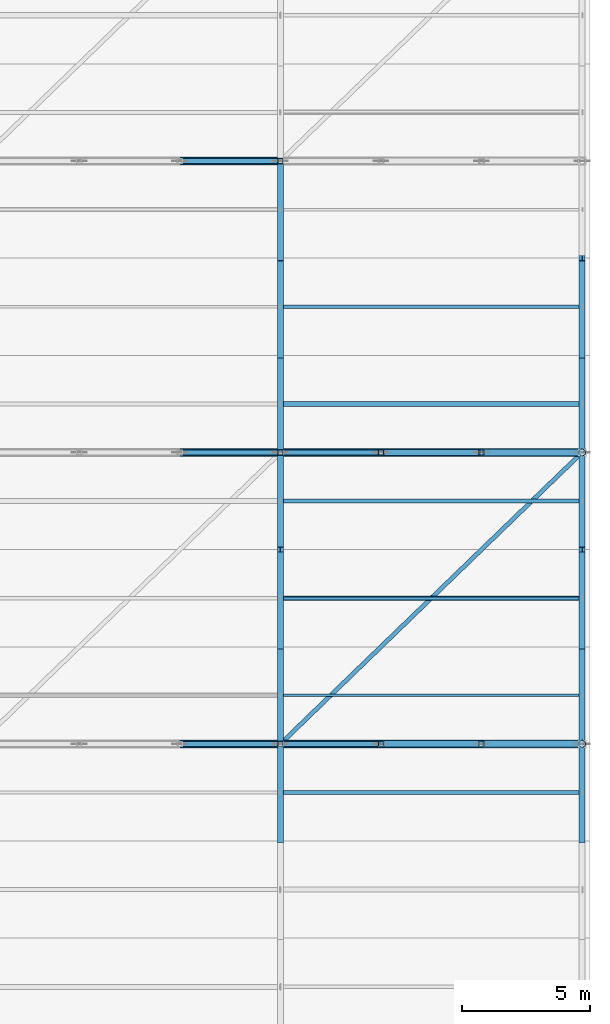
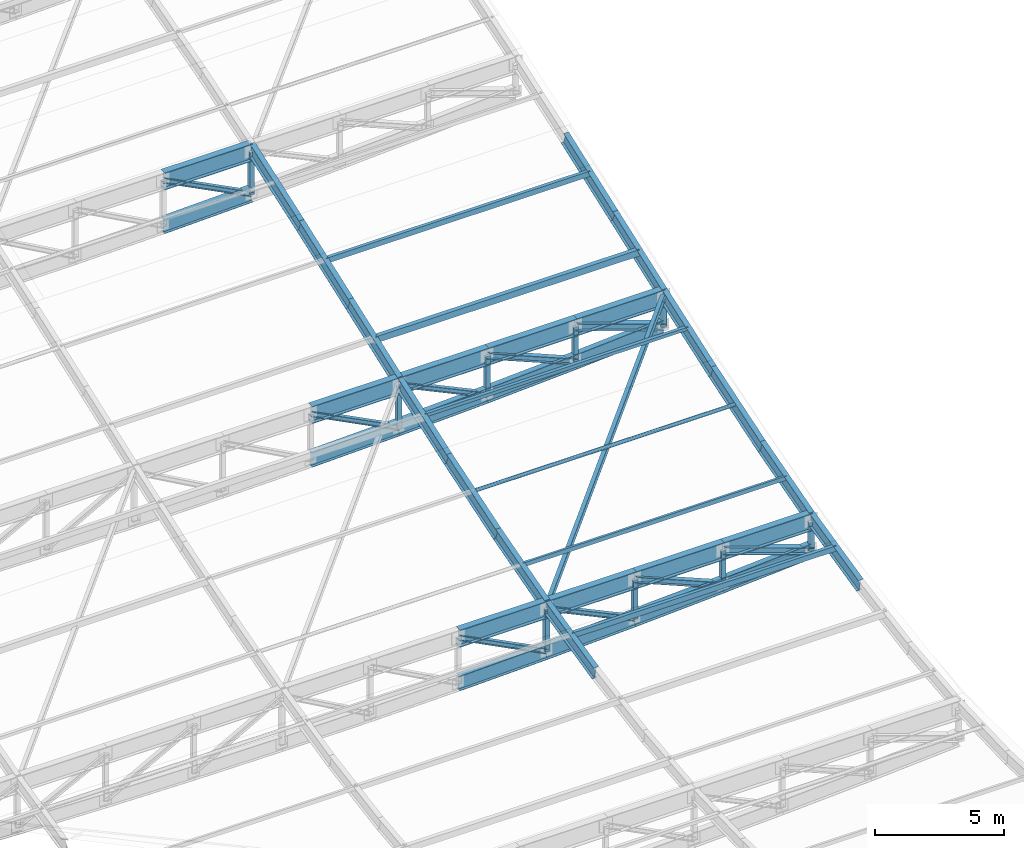
# One storey, part 23 of 65: 38 members, 18 beams.
"""IFC4 building model written with IfcOpenShell, lengths in metres."""

from ifc_helpers import new_model, si_unit, direction, frame, origin, origin_2d, place, context, subcontext, project, spatial, hollow_rectangle, hollow_circle, i_section, extrude, material, material_profile, profile_set, type_object, element, save


model = new_model("IFC4")

# Units and contexts
model_context = context("Model", 3, precision=1e-05, world=origin(), true_north=direction((0.0, 1.0)))
body_context = subcontext(model_context, "Body", "Model", "MODEL_VIEW")
ifc_project = project(units=[si_unit("LENGTHUNIT", "METRE"), si_unit("AREAUNIT", "SQUARE_METRE"), si_unit("VOLUMEUNIT", "CUBIC_METRE"), si_unit("PLANEANGLEUNIT", "RADIAN"), si_unit("MASSUNIT", "GRAM", prefix="KILO"), si_unit("POWERUNIT", "WATT"), si_unit("THERMODYNAMICTEMPERATUREUNIT", "KELVIN")], contexts=[model_context])

# Site, building, storey
site_placement = place(None, origin())
site = spatial("IfcSite", under=ifc_project, at=site_placement, CompositionType="ELEMENT")
building_placement = place(site_placement, origin())
building = spatial("IfcBuilding", under=site, at=building_placement, Name="Kelmbourne Parkland Aquatics Centre", CompositionType="ELEMENT")
storey_placement = place(building_placement, frame((0.0, 0.0, 27.0)))
storey = spatial("IfcBuildingStorey", under=building, at=storey_placement, Name="RF", CompositionType="ELEMENT", Elevation=27.0)

# Members
ifc_material_1 = material(Name="Structural steel AS/NZS 3679.1 Grade 300", Category="steel")
ifc_material_profile_1 = material_profile(ifc_material_1, i_section(OverallWidth=0.166015625, OverallDepth=0.306884765625, WebThickness=0.006591796875, FlangeThickness=0.01171875, at=origin_2d()), Name="310UB46.2")
ifc_profile_set_1 = profile_set([ifc_material_profile_1], Name="Structural steel AS/NZS 3679.1 Grade 300")
member_type_1 = type_object("IfcMemberType", Name="MB-BR-I", PredefinedType="BRACE", material=ifc_profile_set_1)
member_1_placement = place(storey_placement, frame((163.406982421875, 69.206787109375, -10.938232421875), z_axis=(0.702167961361, 0.678358015368, 0.216311250339), x_axis=(-0.694807972231, 0.719195301517, 0.0)))
element("IfcMember", 1, at=member_1_placement, inside=storey, type_object=member_type_1, Name="Roof wind diagonal brace B7-912", PredefinedType="BRACE", context=body_context, shape_type="SweptSolid", body=[
    extrude(i_section(OverallWidth=0.166015625, OverallDepth=0.306884765625, WebThickness=0.006591796875, FlangeThickness=0.01171875, at=origin_2d()), origin(), (0.0, 0.0, 1.0), 16.785400390625),
])
ifc_material_profile_2 = material_profile(ifc_material_1, i_section(OverallWidth=0.306884765625, OverallDepth=0.31494140625, WebThickness=0.011962890625, FlangeThickness=0.018798828125, at=origin_2d()), Name="310UC118")
ifc_profile_set_2 = profile_set([ifc_material_profile_2], Name="Structural steel AS/NZS 3679.1 Grade 300")
member_type_2 = type_object("IfcMemberType", Name="MB-DIAG1", PredefinedType="STRUT", material=ifc_profile_set_2)
for number, where, z_axis, x_axis, name in (
    (2, (171.2666015625, 69.199951171875, -10.9404296875), (0.94359966112, 0.0, -0.331088627913), (0.0, 1.0, 0.0), "Roof truss R06 web diagonal 12"),
    (3, (171.2666015625, 80.60009765625, -7.30517578125), (0.943617957768, 0.0, -0.331036478015), (0.0, 1.0, 0.0), "Roof truss R07 web diagonal 12"),
):
    element("IfcMember", number, at=place(storey_placement, frame(where, z_axis=z_axis, x_axis=x_axis)), inside=storey, type_object=member_type_2, Name=name, PredefinedType="STRUT", context=body_context, shape_type="SweptSolid", body=[
        extrude(i_section(OverallWidth=0.306884765625, OverallDepth=0.31494140625, WebThickness=0.011962890625, FlangeThickness=0.018798828125, at=origin_2d()), origin(), (0.0, 0.0, 1.0), 4.16845703125),
    ])
ifc_material_profile_3 = material_profile(ifc_material_1, i_section(OverallWidth=0.256103515625, OverallDepth=0.260009765625, WebThickness=0.010498046875, FlangeThickness=0.017333984375, at=origin_2d()), Name="250UC89.5")
ifc_profile_set_3 = profile_set([ifc_material_profile_3], Name="Structural steel AS/NZS 3679.1 Grade 300")
member_type_3 = type_object("IfcMemberType", Name="MB-DIAG2", PredefinedType="STRUT", material=ifc_profile_set_3)
for number, where, z_axis, x_axis, name in (
    (4, (167.333251953125, 69.199951171875, -10.9404296875), (0.923014195881, 0.0, -0.384765895322), (0.0, 1.0, 0.0), "Roof truss R06 web diagonal 11"),
    (5, (167.333251953125, 80.60009765625, -7.30517578125), (0.923014195881, 0.0, -0.384765895322), (0.0, 1.0, 0.0), "Roof truss R07 web diagonal 11"),
):
    element("IfcMember", number, at=place(storey_placement, frame(where, z_axis=z_axis, x_axis=x_axis)), inside=storey, type_object=member_type_3, Name=name, PredefinedType="STRUT", context=body_context, shape_type="SweptSolid", body=[
        extrude(i_section(OverallWidth=0.256103515625, OverallDepth=0.260009765625, WebThickness=0.010498046875, FlangeThickness=0.017333984375, at=origin_2d()), origin(), (0.0, 0.0, 1.0), 4.261474609375),
    ])
ifc_material_profile_4 = material_profile(ifc_material_1, i_section(OverallWidth=0.205078125, OverallDepth=0.2099609375, WebThickness=0.00927734375, FlangeThickness=0.01416015625, at=origin_2d()), Name="200UC59.5")
ifc_profile_set_4 = profile_set([ifc_material_profile_4], Name="Structural steel AS/NZS 3679.1 Grade 300")
member_type_4 = type_object("IfcMemberType", Name="MB-DIAG3", PredefinedType="STRUT", material=ifc_profile_set_4)
member_2_placement = place(storey_placement, frame((159.466796875, 69.199951171875, -10.9404296875), z_axis=(0.889762254621, 0.0, -0.456424287535), x_axis=(0.0, 1.0, 0.0)))
element("IfcMember", 6, at=member_2_placement, inside=storey, type_object=member_type_4, Name="Roof truss R06 web diagonal 9", PredefinedType="STRUT", context=body_context, shape_type="SweptSolid", body=[
    extrude(i_section(OverallWidth=0.205078125, OverallDepth=0.2099609375, WebThickness=0.00927734375, FlangeThickness=0.01416015625, at=origin_2d()), origin(), (0.0, 0.0, 1.0), 4.42041015625),
])
member_3_placement = place(storey_placement, frame((163.39990234375, 69.199951171875, -10.9404296875), z_axis=(0.904702860314, 0.0, -0.426043113475), x_axis=(0.0, 1.0, 0.0)))
element("IfcMember", 7, at=member_3_placement, inside=storey, type_object=member_type_4, Name="Roof truss R06 web diagonal 10", PredefinedType="STRUT", context=body_context, shape_type="SweptSolid", body=[
    extrude(i_section(OverallWidth=0.205078125, OverallDepth=0.2099609375, WebThickness=0.00927734375, FlangeThickness=0.01416015625, at=origin_2d()), origin(), (0.0, 0.0, 1.0), 4.34765625),
])
member_4_placement = place(storey_placement, frame((159.466796875, 80.60009765625, -7.30517578125), z_axis=(0.889784683693, 0.0, -0.456380561226), x_axis=(0.0, 1.0, 0.0)))
element("IfcMember", 8, at=member_4_placement, inside=storey, type_object=member_type_4, Name="Roof truss R07 web diagonal 9", PredefinedType="STRUT", context=body_context, shape_type="SweptSolid", body=[
    extrude(i_section(OverallWidth=0.205078125, OverallDepth=0.2099609375, WebThickness=0.00927734375, FlangeThickness=0.01416015625, at=origin_2d()), origin(), (0.0, 0.0, 1.0), 4.42041015625),
])
member_5_placement = place(storey_placement, frame((163.39990234375, 80.60009765625, -7.30517578125), z_axis=(0.904724503936, 0.0, -0.425997150199), x_axis=(0.0, 1.0, 0.0)))
element("IfcMember", 9, at=member_5_placement, inside=storey, type_object=member_type_4, Name="Roof truss R07 web diagonal 10", PredefinedType="STRUT", context=body_context, shape_type="SweptSolid", body=[
    extrude(i_section(OverallWidth=0.205078125, OverallDepth=0.2099609375, WebThickness=0.00927734375, FlangeThickness=0.01416015625, at=origin_2d()), origin(), (0.0, 0.0, 1.0), 4.34765625),
])
member_6_placement = place(storey_placement, frame((159.466796875, 92.0, -3.202880859375), z_axis=(0.889762254621, 0.0, -0.456424287535), x_axis=(0.0, 1.0, 0.0)))
element("IfcMember", 10, at=member_6_placement, inside=storey, type_object=member_type_4, Name="Roof truss R08 web diagonal 9", PredefinedType="STRUT", context=body_context, shape_type="SweptSolid", body=[
    extrude(i_section(OverallWidth=0.205078125, OverallDepth=0.2099609375, WebThickness=0.00927734375, FlangeThickness=0.01416015625, at=origin_2d()), origin(), (0.0, 0.0, 1.0), 4.42041015625),
])
ifc_material_profile_5 = material_profile(ifc_material_1, i_section(OverallWidth=0.22900390625, OverallDepth=0.612060546875, WebThickness=0.011962890625, FlangeThickness=0.01953125, at=origin_2d()), Name="610UB125")
ifc_profile_set_5 = profile_set([ifc_material_profile_5], Name="Structural steel AS/NZS 3679.1 Grade 300")
member_type_5 = type_object("IfcMemberType", Name="MB-LRIB", PredefinedType="STRUT", material=ifc_profile_set_5)
member_7_placement = place(storey_placement, frame((163.39990234375, 65.39990234375, -11.703369140625), z_axis=(0.0, 0.974060017695, 0.226289818438), x_axis=(-1.0, 0.0, 0.0)))
element("IfcMember", 11, at=member_7_placement, inside=storey, type_object=member_type_5, Name="Longitudinal wave rib K9 strip 18", PredefinedType="STRUT", context=body_context, shape_type="SweptSolid", body=[
    extrude(i_section(OverallWidth=0.22900390625, OverallDepth=0.612060546875, WebThickness=0.011962890625, FlangeThickness=0.01953125, at=origin_2d()), origin(), (0.0, 0.0, 1.0), 3.9013671875),
])
member_8_placement = place(storey_placement, frame((163.39990234375, 69.199951171875, -10.820556640625), z_axis=(0.0, 0.962160495799, 0.272483357885), x_axis=(-1.0, 0.0, 0.0)))
element("IfcMember", 12, at=member_8_placement, inside=storey, type_object=member_type_5, Name="Longitudinal wave rib K9 strip 19", PredefinedType="STRUT", context=body_context, shape_type="SweptSolid", body=[
    extrude(i_section(OverallWidth=0.22900390625, OverallDepth=0.612060546875, WebThickness=0.011962890625, FlangeThickness=0.01953125, at=origin_2d()), origin(), (0.0, 0.0, 1.0), 3.949462890625),
])
member_9_placement = place(storey_placement, frame((163.39990234375, 73.0, -9.744384765625), z_axis=(0.0, 0.951600805512, 0.307336797257), x_axis=(-1.0, 0.0, 0.0)))
element("IfcMember", 13, at=member_9_placement, inside=storey, type_object=member_type_5, Name="Longitudinal wave rib K9 strip 20", PredefinedType="STRUT", context=body_context, shape_type="SweptSolid", body=[
    extrude(i_section(OverallWidth=0.22900390625, OverallDepth=0.612060546875, WebThickness=0.011962890625, FlangeThickness=0.01953125, at=origin_2d()), origin(), (0.0, 0.0, 1.0), 3.993408203125),
])
member_10_placement = place(storey_placement, frame((163.39990234375, 76.800048828125, -8.51708984375), z_axis=(0.0, 0.943702288196, 0.330795996428), x_axis=(-1.0, 0.0, 0.0)))
element("IfcMember", 14, at=member_10_placement, inside=storey, type_object=member_type_5, Name="Longitudinal wave rib K9 strip 21", PredefinedType="STRUT", context=body_context, shape_type="SweptSolid", body=[
    extrude(i_section(OverallWidth=0.22900390625, OverallDepth=0.612060546875, WebThickness=0.011962890625, FlangeThickness=0.01953125, at=origin_2d()), origin(), (0.0, 0.0, 1.0), 4.02685546875),
])
member_11_placement = place(storey_placement, frame((163.39990234375, 80.60009765625, -7.18505859375), z_axis=(0.0, 0.939534064945, 0.342455458136), x_axis=(-1.0, 0.0, 0.0)))
element("IfcMember", 15, at=member_11_placement, inside=storey, type_object=member_type_5, Name="Longitudinal wave rib K9 strip 22", PredefinedType="STRUT", context=body_context, shape_type="SweptSolid", body=[
    extrude(i_section(OverallWidth=0.22900390625, OverallDepth=0.612060546875, WebThickness=0.011962890625, FlangeThickness=0.01953125, at=origin_2d()), origin(), (0.0, 0.0, 1.0), 4.04443359375),
])
member_12_placement = place(storey_placement, frame((163.39990234375, 84.39990234375, -5.800048828125), z_axis=(0.0, 0.939521722115, 0.342489319067), x_axis=(-1.0, 0.0, 0.0)))
element("IfcMember", 16, at=member_12_placement, inside=storey, type_object=member_type_5, Name="Longitudinal wave rib K9 strip 23", PredefinedType="STRUT", context=body_context, shape_type="SweptSolid", body=[
    extrude(i_section(OverallWidth=0.22900390625, OverallDepth=0.612060546875, WebThickness=0.011962890625, FlangeThickness=0.01953125, at=origin_2d()), origin(), (0.0, 0.0, 1.0), 4.044677734375),
])
member_13_placement = place(storey_placement, frame((163.39990234375, 88.199951171875, -4.414794921875), z_axis=(0.0, 0.943721214003, 0.330741999511), x_axis=(-1.0, 0.0, 0.0)))
element("IfcMember", 17, at=member_13_placement, inside=storey, type_object=member_type_5, Name="Longitudinal wave rib K9 strip 24", PredefinedType="STRUT", context=body_context, shape_type="SweptSolid", body=[
    extrude(i_section(OverallWidth=0.22900390625, OverallDepth=0.612060546875, WebThickness=0.011962890625, FlangeThickness=0.01953125, at=origin_2d()), origin(), (0.0, 0.0, 1.0), 4.026611328125),
])
member_14_placement = place(storey_placement, frame((175.199951171875, 65.39990234375, -11.703369140625), z_axis=(0.0, 0.974060017695, 0.226289818438), x_axis=(-1.0, 0.0, 0.0)))
element("IfcMember", 18, at=member_14_placement, inside=storey, type_object=member_type_5, Name="Longitudinal wave rib K12 strip 18", PredefinedType="STRUT", context=body_context, shape_type="SweptSolid", body=[
    extrude(i_section(OverallWidth=0.22900390625, OverallDepth=0.612060546875, WebThickness=0.011962890625, FlangeThickness=0.01953125, at=origin_2d()), origin(), (0.0, 0.0, 1.0), 3.9013671875),
])
member_15_placement = place(storey_placement, frame((175.199951171875, 69.199951171875, -10.820556640625), z_axis=(0.0, 0.962160495799, 0.272483357885), x_axis=(-1.0, 0.0, 0.0)))
element("IfcMember", 19, at=member_15_placement, inside=storey, type_object=member_type_5, Name="Longitudinal wave rib K12 strip 19", PredefinedType="STRUT", context=body_context, shape_type="SweptSolid", body=[
    extrude(i_section(OverallWidth=0.22900390625, OverallDepth=0.612060546875, WebThickness=0.011962890625, FlangeThickness=0.01953125, at=origin_2d()), origin(), (0.0, 0.0, 1.0), 3.949462890625),
])
member_16_placement = place(storey_placement, frame((175.199951171875, 73.0, -9.744384765625), z_axis=(0.0, 0.951600805512, 0.307336797257), x_axis=(-1.0, 0.0, 0.0)))
element("IfcMember", 20, at=member_16_placement, inside=storey, type_object=member_type_5, Name="Longitudinal wave rib K12 strip 20", PredefinedType="STRUT", context=body_context, shape_type="SweptSolid", body=[
    extrude(i_section(OverallWidth=0.22900390625, OverallDepth=0.612060546875, WebThickness=0.011962890625, FlangeThickness=0.01953125, at=origin_2d()), origin(), (0.0, 0.0, 1.0), 3.993408203125),
])
member_17_placement = place(storey_placement, frame((175.199951171875, 76.800048828125, -8.51708984375), z_axis=(0.0, 0.943702288196, 0.330795996428), x_axis=(-1.0, 0.0, 0.0)))
element("IfcMember", 21, at=member_17_placement, inside=storey, type_object=member_type_5, Name="Longitudinal wave rib K12 strip 21", PredefinedType="STRUT", context=body_context, shape_type="SweptSolid", body=[
    extrude(i_section(OverallWidth=0.22900390625, OverallDepth=0.612060546875, WebThickness=0.011962890625, FlangeThickness=0.01953125, at=origin_2d()), origin(), (0.0, 0.0, 1.0), 4.02685546875),
])
member_18_placement = place(storey_placement, frame((175.199951171875, 80.60009765625, -7.18505859375), z_axis=(0.0, 0.939534064945, 0.342455458136), x_axis=(-1.0, 0.0, 0.0)))
element("IfcMember", 22, at=member_18_placement, inside=storey, type_object=member_type_5, Name="Longitudinal wave rib K12 strip 22", PredefinedType="STRUT", context=body_context, shape_type="SweptSolid", body=[
    extrude(i_section(OverallWidth=0.22900390625, OverallDepth=0.612060546875, WebThickness=0.011962890625, FlangeThickness=0.01953125, at=origin_2d()), origin(), (0.0, 0.0, 1.0), 4.04443359375),
])
member_19_placement = place(storey_placement, frame((175.199951171875, 84.39990234375, -5.800048828125), z_axis=(0.0, 0.939521722115, 0.342489319067), x_axis=(-1.0, 0.0, 0.0)))
element("IfcMember", 23, at=member_19_placement, inside=storey, type_object=member_type_5, Name="Longitudinal wave rib K12 strip 23", PredefinedType="STRUT", context=body_context, shape_type="SweptSolid", body=[
    extrude(i_section(OverallWidth=0.22900390625, OverallDepth=0.612060546875, WebThickness=0.011962890625, FlangeThickness=0.01953125, at=origin_2d()), origin(), (0.0, 0.0, 1.0), 4.044677734375),
])
ifc_material_2 = material(Name="Cold-formed hollow steel AS/NZS 1163 C350L0", Category="steel")
ifc_material_profile_6 = material_profile(ifc_material_2, hollow_rectangle(XDim=0.199951171875, YDim=0.199951171875, WallThickness=0.010009765625, at=origin_2d()), Name="SHS 200x200x10.0")
ifc_profile_set_6 = profile_set([ifc_material_profile_6], Name="Cold-formed hollow steel AS/NZS 1163 C350L0")
member_type_6 = type_object("IfcMemberType", Name="MB-POST1", PredefinedType="STRUT", material=ifc_profile_set_6)
member_20_placement = place(storey_placement, frame((163.39990234375, 69.199951171875, -12.9580078125), z_axis=(0.0, 0.0, 1.0), x_axis=(1.0, 0.0, 0.0)))
element("IfcMember", 24, at=member_20_placement, inside=storey, type_object=member_type_6, Name="Roof truss R06 vertical post 9", PredefinedType="STRUT", context=body_context, shape_type="SweptSolid", body=[
    extrude(hollow_rectangle(XDim=0.199951171875, YDim=0.199951171875, WallThickness=0.010009765625, at=origin_2d()), origin(), (0.0, 0.0, 1.0), 2.017578125),
])
member_21_placement = place(storey_placement, frame((167.333251953125, 69.199951171875, -12.792724609375), z_axis=(0.0, 0.0, 1.0), x_axis=(1.0, 0.0, 0.0)))
element("IfcMember", 25, at=member_21_placement, inside=storey, type_object=member_type_6, Name="Roof truss R06 vertical post 10", PredefinedType="STRUT", context=body_context, shape_type="SweptSolid", body=[
    extrude(hollow_rectangle(XDim=0.199951171875, YDim=0.199951171875, WallThickness=0.010009765625, at=origin_2d()), origin(), (0.0, 0.0, 1.0), 1.852294921875),
])
member_22_placement = place(storey_placement, frame((171.2666015625, 69.199951171875, -12.580078125), z_axis=(0.0, 0.0, 1.0), x_axis=(1.0, 0.0, 0.0)))
element("IfcMember", 26, at=member_22_placement, inside=storey, type_object=member_type_6, Name="Roof truss R06 vertical post 11", PredefinedType="STRUT", context=body_context, shape_type="SweptSolid", body=[
    extrude(hollow_rectangle(XDim=0.199951171875, YDim=0.199951171875, WallThickness=0.010009765625, at=origin_2d()), origin(), (0.0, 0.0, 1.0), 1.6396484375),
])
member_23_placement = place(storey_placement, frame((163.39990234375, 80.60009765625, -9.322509765625), z_axis=(0.0, 0.0, 1.0), x_axis=(1.0, 0.0, 0.0)))
element("IfcMember", 27, at=member_23_placement, inside=storey, type_object=member_type_6, Name="Roof truss R07 vertical post 9", PredefinedType="STRUT", context=body_context, shape_type="SweptSolid", body=[
    extrude(hollow_rectangle(XDim=0.199951171875, YDim=0.199951171875, WallThickness=0.010009765625, at=origin_2d()), origin(), (0.0, 0.0, 1.0), 2.017333984375),
])
member_24_placement = place(storey_placement, frame((167.333251953125, 80.60009765625, -9.1572265625), z_axis=(0.0, 0.0, 1.0), x_axis=(1.0, 0.0, 0.0)))
element("IfcMember", 28, at=member_24_placement, inside=storey, type_object=member_type_6, Name="Roof truss R07 vertical post 10", PredefinedType="STRUT", context=body_context, shape_type="SweptSolid", body=[
    extrude(hollow_rectangle(XDim=0.199951171875, YDim=0.199951171875, WallThickness=0.010009765625, at=origin_2d()), origin(), (0.0, 0.0, 1.0), 1.85205078125),
])
member_25_placement = place(storey_placement, frame((171.2666015625, 80.60009765625, -8.94482421875), z_axis=(0.0, 0.0, 1.0), x_axis=(1.0, 0.0, 0.0)))
element("IfcMember", 29, at=member_25_placement, inside=storey, type_object=member_type_6, Name="Roof truss R07 vertical post 11", PredefinedType="STRUT", context=body_context, shape_type="SweptSolid", body=[
    extrude(hollow_rectangle(XDim=0.199951171875, YDim=0.199951171875, WallThickness=0.010009765625, at=origin_2d()), origin(), (0.0, 0.0, 1.0), 1.6396484375),
])
member_26_placement = place(storey_placement, frame((163.39990234375, 92.0, -5.220458984375), z_axis=(0.0, 0.0, 1.0), x_axis=(1.0, 0.0, 0.0)))
element("IfcMember", 30, at=member_26_placement, inside=storey, type_object=member_type_6, Name="Roof truss R08 vertical post 9", PredefinedType="STRUT", context=body_context, shape_type="SweptSolid", body=[
    extrude(hollow_rectangle(XDim=0.199951171875, YDim=0.199951171875, WallThickness=0.010009765625, at=origin_2d()), origin(), (0.0, 0.0, 1.0), 2.017578125),
])
ifc_material_profile_7 = material_profile(ifc_material_2, hollow_circle(Radius=0.136474609375, WallThickness=0.00927734375, at=origin_2d()), Name="CHS 273.1x9.3")
ifc_profile_set_7 = profile_set([ifc_material_profile_7], Name="Cold-formed hollow steel AS/NZS 1163 C350L0")
member_type_7 = type_object("IfcMemberType", Name="MB-POST2", PredefinedType="STRUT", material=ifc_profile_set_7)
member_27_placement = place(storey_placement, frame((175.199951171875, 69.199951171875, -12.320556640625), z_axis=(0.0, 0.0, 1.0), x_axis=(1.0, 0.0, 0.0)))
element("IfcMember", 31, at=member_27_placement, inside=storey, type_object=member_type_7, Name="Roof truss R06 vertical post 12", PredefinedType="STRUT", context=body_context, shape_type="SweptSolid", body=[
    extrude(hollow_circle(Radius=0.136474609375, WallThickness=0.00927734375, at=origin_2d()), origin(), (0.0, 0.0, 1.0), 1.380126953125),
])
member_28_placement = place(storey_placement, frame((175.199951171875, 80.60009765625, -8.68505859375), z_axis=(0.0, 0.0, 1.0), x_axis=(1.0, 0.0, 0.0)))
element("IfcMember", 32, at=member_28_placement, inside=storey, type_object=member_type_7, Name="Roof truss R07 vertical post 12", PredefinedType="STRUT", context=body_context, shape_type="SweptSolid", body=[
    extrude(hollow_circle(Radius=0.136474609375, WallThickness=0.00927734375, at=origin_2d()), origin(), (0.0, 0.0, 1.0), 1.3798828125),
])
ifc_material_profile_8 = material_profile(ifc_material_2, hollow_rectangle(XDim=0.10009765625, YDim=0.199951171875, WallThickness=0.006103515625, at=origin_2d()), Name="RHS 200x100x6.0")
ifc_profile_set_8 = profile_set([ifc_material_profile_8], Name="Cold-formed hollow steel AS/NZS 1163 C350L0")
member_type_8 = type_object("IfcMemberType", Name="MB-PUR1", PredefinedType="PURLIN", material=ifc_profile_set_8)
member_29_placement = place(storey_placement, frame((163.39990234375, 71.10009765625, -10.072509765625), z_axis=(1.0, 0.0, 0.0), x_axis=(0.0, 1.0, 0.0)))
element("IfcMember", 33, at=member_29_placement, inside=storey, type_object=member_type_8, Name="Wave roof purlin S19-G4", PredefinedType="PURLIN", context=body_context, shape_type="SweptSolid", body=[
    extrude(hollow_rectangle(XDim=0.10009765625, YDim=0.199951171875, WallThickness=0.006103515625, at=origin_2d()), origin(), (0.0, 0.0, 1.0), 11.800048828125),
])
ifc_material_profile_9 = material_profile(ifc_material_2, hollow_rectangle(XDim=0.14990234375, YDim=0.25, WallThickness=0.009033203125, at=origin_2d()), Name="RHS 250x150x9.0")
ifc_profile_set_9 = profile_set([ifc_material_profile_9], Name="Cold-formed hollow steel AS/NZS 1163 C350L0")
member_type_9 = type_object("IfcMemberType", Name="MB-PUR2", PredefinedType="PURLIN", material=ifc_profile_set_9)
for number, where, z_axis, x_axis, name in (
    (34, (163.39990234375, 67.300048828125, -11.076904296875), (1.0, 0.0, 0.0), (0.0, 1.0, 0.0), "Wave roof purlin S18-G4"),
    (35, (163.39990234375, 86.300048828125, -4.922607421875), (1.0, 0.0, 0.0), (0.0, 1.0, 0.0), "Wave roof purlin S23-G4"),
):
    element("IfcMember", number, at=place(storey_placement, frame(where, z_axis=z_axis, x_axis=x_axis)), inside=storey, type_object=member_type_9, Name=name, PredefinedType="PURLIN", context=body_context, shape_type="SweptSolid", body=[
        extrude(hollow_rectangle(XDim=0.14990234375, YDim=0.25, WallThickness=0.009033203125, at=origin_2d()), origin(), (0.0, 0.0, 1.0), 11.800048828125),
    ])
ifc_material_profile_10 = material_profile(ifc_material_2, hollow_rectangle(XDim=0.199951171875, YDim=0.300048828125, WallThickness=0.010009765625, at=origin_2d()), Name="RHS 300x200x10.0")
ifc_profile_set_10 = profile_set([ifc_material_profile_10], Name="Cold-formed hollow steel AS/NZS 1163 C350L0")
member_type_10 = type_object("IfcMemberType", Name="MB-PUR3", PredefinedType="PURLIN", material=ifc_profile_set_10)
member_30_placement = place(storey_placement, frame((163.39990234375, 82.5, -6.33251953125), z_axis=(1.0, 0.0, 0.0), x_axis=(0.0, 1.0, 0.0)))
element("IfcMember", 36, at=member_30_placement, inside=storey, type_object=member_type_10, Name="Wave roof purlin S22-G4", PredefinedType="PURLIN", context=body_context, shape_type="SweptSolid", body=[
    extrude(hollow_rectangle(XDim=0.199951171875, YDim=0.300048828125, WallThickness=0.010009765625, at=origin_2d()), origin(), (0.0, 0.0, 1.0), 11.800048828125),
])
ifc_material_profile_11 = material_profile(ifc_material_2, hollow_rectangle(XDim=0.14990234375, YDim=0.14990234375, WallThickness=0.009033203125, at=origin_2d()), Name="SHS 150x150x9.0")
ifc_profile_set_11 = profile_set([ifc_material_profile_11], Name="Cold-formed hollow steel AS/NZS 1163 C350L0")
member_type_11 = type_object("IfcMemberType", Name="MB-PUR4", PredefinedType="PURLIN", material=ifc_profile_set_11)
member_31_placement = place(storey_placement, frame((163.39990234375, 78.699951171875, -7.6162109375), z_axis=(1.0, 0.0, 0.0), x_axis=(0.0, 1.0, 0.0)))
element("IfcMember", 37, at=member_31_placement, inside=storey, type_object=member_type_11, Name="Wave roof purlin S21-G4", PredefinedType="PURLIN", context=body_context, shape_type="SweptSolid", body=[
    extrude(hollow_rectangle(XDim=0.14990234375, YDim=0.14990234375, WallThickness=0.009033203125, at=origin_2d()), origin(), (0.0, 0.0, 1.0), 11.800048828125),
])
ifc_material_profile_12 = material_profile(ifc_material_2, hollow_circle(Radius=0.084228515625, WallThickness=0.007080078125, at=origin_2d()), Name="CHS 168.3x7.1")
ifc_profile_set_12 = profile_set([ifc_material_profile_12], Name="Cold-formed hollow steel AS/NZS 1163 C350L0")
member_type_12 = type_object("IfcMemberType", Name="MB-PUR5", PredefinedType="PURLIN", material=ifc_profile_set_12)
member_32_placement = place(storey_placement, frame((163.39990234375, 74.89990234375, -8.905029296875), z_axis=(1.0, 0.0, 0.0), x_axis=(0.0, 1.0, 0.0)))
element("IfcMember", 38, at=member_32_placement, inside=storey, type_object=member_type_12, Name="Wave roof purlin S20-G4", PredefinedType="PURLIN", context=body_context, shape_type="SweptSolid", body=[
    extrude(hollow_circle(Radius=0.084228515625, WallThickness=0.007080078125, at=origin_2d()), origin(), (0.0, 0.0, 1.0), 11.800048828125),
])

# Beams
ifc_material_3 = material(Name="Welded plate steel AS/NZS 3678 Grade 350", Category="steel")
ifc_material_profile_13 = material_profile(ifc_material_3, i_section(OverallWidth=0.25, OverallDepth=0.699951171875, WebThickness=0.010009765625, FlangeThickness=0.02001953125, at=origin_2d()), Name="700WB130")
ifc_profile_set_13 = profile_set([ifc_material_profile_13], Name="Welded plate steel AS/NZS 3678 Grade 350")
beam_type_1 = type_object("IfcBeamType", Name="TR-BC2", PredefinedType="BEAM", material=ifc_profile_set_13)
beam_1_placement = place(storey_placement, frame((159.466796875, 69.199951171875, -13.076171875), z_axis=(0.999549000802, 0.0, 0.0300299017), x_axis=(0.0, 1.0, 0.0)))
element("IfcBeam", 39, at=beam_1_placement, inside=storey, type_object=beam_type_1, Name="Roof truss R06 bottom chord 9", PredefinedType="BEAM", context=body_context, shape_type="SweptSolid", body=[
    extrude(i_section(OverallWidth=0.25, OverallDepth=0.699951171875, WebThickness=0.010009765625, FlangeThickness=0.02001953125, at=origin_2d()), origin(), (0.0, 0.0, 1.0), 3.934814453125),
])
beam_2_placement = place(storey_placement, frame((163.39990234375, 69.199951171875, -12.9580078125), z_axis=(0.999118286144, 0.0, 0.041983928975), x_axis=(0.0, 1.0, 0.0)))
element("IfcBeam", 40, at=beam_2_placement, inside=storey, type_object=beam_type_1, Name="Roof truss R06 bottom chord 10", PredefinedType="BEAM", context=body_context, shape_type="SweptSolid", body=[
    extrude(i_section(OverallWidth=0.25, OverallDepth=0.699951171875, WebThickness=0.010009765625, FlangeThickness=0.02001953125, at=origin_2d()), origin(), (0.0, 0.0, 1.0), 3.936767578125),
])
beam_3_placement = place(storey_placement, frame((167.333251953125, 69.199951171875, -12.792724609375), z_axis=(0.99854182183, 0.0, 0.053983609138), x_axis=(0.0, 1.0, 0.0)))
element("IfcBeam", 41, at=beam_3_placement, inside=storey, type_object=beam_type_1, Name="Roof truss R06 bottom chord 11", PredefinedType="BEAM", context=body_context, shape_type="SweptSolid", body=[
    extrude(i_section(OverallWidth=0.25, OverallDepth=0.699951171875, WebThickness=0.010009765625, FlangeThickness=0.02001953125, at=origin_2d()), origin(), (0.0, 0.0, 1.0), 3.939208984375),
])
beam_4_placement = place(storey_placement, frame((171.2666015625, 69.199951171875, -12.580078125), z_axis=(0.9978304164, 0.0, 0.065836616761), x_axis=(0.0, 1.0, 0.0)))
element("IfcBeam", 42, at=beam_4_placement, inside=storey, type_object=beam_type_1, Name="Roof truss R06 bottom chord 12", PredefinedType="BEAM", context=body_context, shape_type="SweptSolid", body=[
    extrude(i_section(OverallWidth=0.25, OverallDepth=0.699951171875, WebThickness=0.010009765625, FlangeThickness=0.02001953125, at=origin_2d()), origin(), (0.0, 0.0, 1.0), 3.94189453125),
])
beam_5_placement = place(storey_placement, frame((159.466796875, 80.60009765625, -9.440673828125), z_axis=(0.999549000802, 0.0, 0.0300299017), x_axis=(0.0, 1.0, 0.0)))
element("IfcBeam", 43, at=beam_5_placement, inside=storey, type_object=beam_type_1, Name="Roof truss R07 bottom chord 9", PredefinedType="BEAM", context=body_context, shape_type="SweptSolid", body=[
    extrude(i_section(OverallWidth=0.25, OverallDepth=0.699951171875, WebThickness=0.010009765625, FlangeThickness=0.02001953125, at=origin_2d()), origin(), (0.0, 0.0, 1.0), 3.934814453125),
])
beam_6_placement = place(storey_placement, frame((163.39990234375, 80.60009765625, -9.322509765625), z_axis=(0.999118286144, 0.0, 0.041983928975), x_axis=(0.0, 1.0, 0.0)))
element("IfcBeam", 44, at=beam_6_placement, inside=storey, type_object=beam_type_1, Name="Roof truss R07 bottom chord 10", PredefinedType="BEAM", context=body_context, shape_type="SweptSolid", body=[
    extrude(i_section(OverallWidth=0.25, OverallDepth=0.699951171875, WebThickness=0.010009765625, FlangeThickness=0.02001953125, at=origin_2d()), origin(), (0.0, 0.0, 1.0), 3.936767578125),
])
beam_7_placement = place(storey_placement, frame((167.333251953125, 80.60009765625, -9.1572265625), z_axis=(0.998545160894, 0.0, 0.053921810563), x_axis=(0.0, 1.0, 0.0)))
element("IfcBeam", 45, at=beam_7_placement, inside=storey, type_object=beam_type_1, Name="Roof truss R07 bottom chord 11", PredefinedType="BEAM", context=body_context, shape_type="SweptSolid", body=[
    extrude(i_section(OverallWidth=0.25, OverallDepth=0.699951171875, WebThickness=0.010009765625, FlangeThickness=0.02001953125, at=origin_2d()), origin(), (0.0, 0.0, 1.0), 3.93896484375),
])
beam_8_placement = place(storey_placement, frame((171.2666015625, 80.60009765625, -8.94482421875), z_axis=(0.997826345785, 0.0, 0.065898282659), x_axis=(0.0, 1.0, 0.0)))
element("IfcBeam", 46, at=beam_8_placement, inside=storey, type_object=beam_type_1, Name="Roof truss R07 bottom chord 12", PredefinedType="BEAM", context=body_context, shape_type="SweptSolid", body=[
    extrude(i_section(OverallWidth=0.25, OverallDepth=0.699951171875, WebThickness=0.010009765625, FlangeThickness=0.02001953125, at=origin_2d()), origin(), (0.0, 0.0, 1.0), 3.94189453125),
])
beam_9_placement = place(storey_placement, frame((159.466796875, 92.0, -5.33837890625), z_axis=(0.999550861256, 0.0, 0.029967912228), x_axis=(0.0, 1.0, 0.0)))
element("IfcBeam", 47, at=beam_9_placement, inside=storey, type_object=beam_type_1, Name="Roof truss R08 bottom chord 9", PredefinedType="BEAM", context=body_context, shape_type="SweptSolid", body=[
    extrude(i_section(OverallWidth=0.25, OverallDepth=0.699951171875, WebThickness=0.010009765625, FlangeThickness=0.02001953125, at=origin_2d()), origin(), (0.0, 0.0, 1.0), 3.934814453125),
])
ifc_material_profile_14 = material_profile(ifc_material_3, i_section(OverallWidth=0.300048828125, OverallDepth=0.81591796875, WebThickness=0.011962890625, FlangeThickness=0.028076171875, at=origin_2d()), Name="800WB192")
ifc_profile_set_14 = profile_set([ifc_material_profile_14], Name="Welded plate steel AS/NZS 3678 Grade 350")
beam_type_2 = type_object("IfcBeamType", Name="TR-TC2", PredefinedType="BEAM", material=ifc_profile_set_14)
beam_10_placement = place(storey_placement, frame((159.466796875, 69.199951171875, -10.9404296875), z_axis=(1.0, 0.0, 0.0), x_axis=(0.0, 1.0, 0.0)))
element("IfcBeam", 48, at=beam_10_placement, inside=storey, type_object=beam_type_2, Name="Roof truss R06 top chord 9", PredefinedType="BEAM", context=body_context, shape_type="SweptSolid", body=[
    extrude(i_section(OverallWidth=0.300048828125, OverallDepth=0.81591796875, WebThickness=0.011962890625, FlangeThickness=0.028076171875, at=origin_2d()), origin(), (0.0, 0.0, 1.0), 3.93310546875),
])
for number, where, z_axis, x_axis, name in (
    (49, (163.39990234375, 69.199951171875, -10.9404296875), (1.0, 0.0, 0.0), (0.0, 1.0, 0.0), "Roof truss R06 top chord 10"),
    (50, (167.333251953125, 69.199951171875, -10.9404296875), (1.0, 0.0, 0.0), (0.0, 1.0, 0.0), "Roof truss R06 top chord 11"),
    (51, (171.2666015625, 69.199951171875, -10.9404296875), (1.0, 0.0, 0.0), (0.0, 1.0, 0.0), "Roof truss R06 top chord 12"),
):
    element("IfcBeam", number, at=place(storey_placement, frame(where, z_axis=z_axis, x_axis=x_axis)), inside=storey, type_object=beam_type_2, Name=name, PredefinedType="BEAM", context=body_context, shape_type="SweptSolid", body=[
        extrude(i_section(OverallWidth=0.300048828125, OverallDepth=0.81591796875, WebThickness=0.011962890625, FlangeThickness=0.028076171875, at=origin_2d()), origin(), (0.0, 0.0, 1.0), 3.933349609375),
    ])
beam_11_placement = place(storey_placement, frame((159.466796875, 80.60009765625, -7.30517578125), z_axis=(1.0, 0.0, 0.0), x_axis=(0.0, 1.0, 0.0)))
element("IfcBeam", 52, at=beam_11_placement, inside=storey, type_object=beam_type_2, Name="Roof truss R07 top chord 9", PredefinedType="BEAM", context=body_context, shape_type="SweptSolid", body=[
    extrude(i_section(OverallWidth=0.300048828125, OverallDepth=0.81591796875, WebThickness=0.011962890625, FlangeThickness=0.028076171875, at=origin_2d()), origin(), (0.0, 0.0, 1.0), 3.93310546875),
])
for number, where, z_axis, x_axis, name in (
    (53, (163.39990234375, 80.60009765625, -7.30517578125), (1.0, 0.0, 0.0), (0.0, 1.0, 0.0), "Roof truss R07 top chord 10"),
    (54, (167.333251953125, 80.60009765625, -7.30517578125), (1.0, 0.0, 0.0), (0.0, 1.0, 0.0), "Roof truss R07 top chord 11"),
    (55, (171.2666015625, 80.60009765625, -7.30517578125), (1.0, 0.0, 0.0), (0.0, 1.0, 0.0), "Roof truss R07 top chord 12"),
):
    element("IfcBeam", number, at=place(storey_placement, frame(where, z_axis=z_axis, x_axis=x_axis)), inside=storey, type_object=beam_type_2, Name=name, PredefinedType="BEAM", context=body_context, shape_type="SweptSolid", body=[
        extrude(i_section(OverallWidth=0.300048828125, OverallDepth=0.81591796875, WebThickness=0.011962890625, FlangeThickness=0.028076171875, at=origin_2d()), origin(), (0.0, 0.0, 1.0), 3.933349609375),
    ])
beam_12_placement = place(storey_placement, frame((159.466796875, 92.0, -3.202880859375), z_axis=(1.0, 0.0, 0.0), x_axis=(0.0, 1.0, 0.0)))
element("IfcBeam", 56, at=beam_12_placement, inside=storey, type_object=beam_type_2, Name="Roof truss R08 top chord 9", PredefinedType="BEAM", context=body_context, shape_type="SweptSolid", body=[
    extrude(i_section(OverallWidth=0.300048828125, OverallDepth=0.81591796875, WebThickness=0.011962890625, FlangeThickness=0.028076171875, at=origin_2d()), origin(), (0.0, 0.0, 1.0), 3.93310546875),
])

save(model, "model.ifc")
